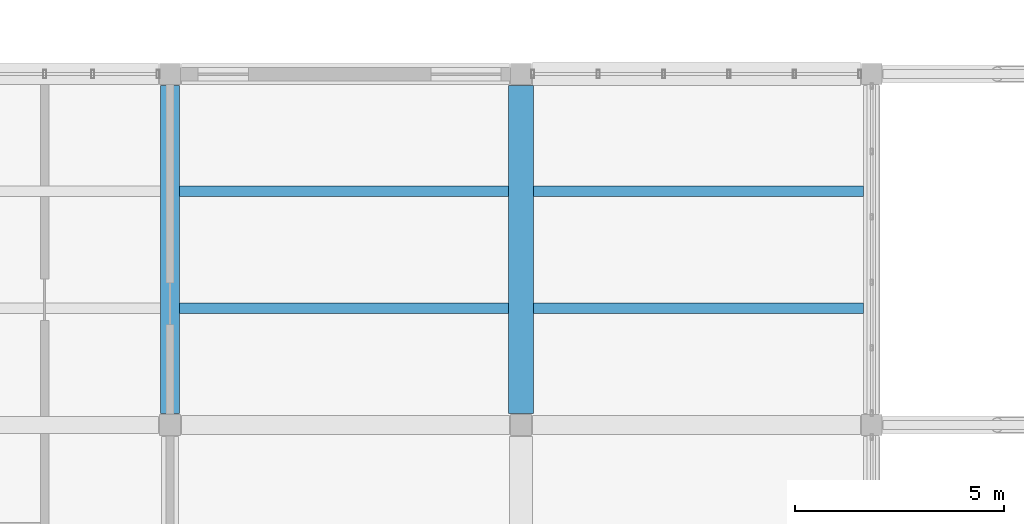
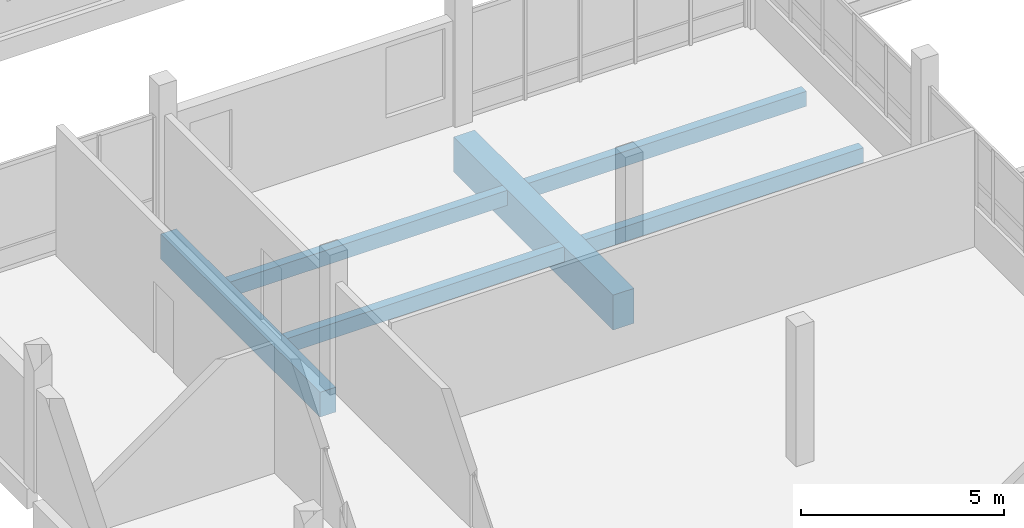
# One storey, part 34 of 107: 6 beams.
"""IFC4 building model written with IfcOpenShell, lengths in metres."""

from ifc_helpers import new_model, si_unit, direction, frame, origin, origin_2d, place, context, subcontext, project, spatial, rectangle, extrude, material, material_profile, profile_set, type_object, element, save


model = new_model("IFC4")

# Units and contexts
model_context = context("Model", 3, precision=1e-05, world=origin(), true_north=direction((0.0, 1.0)))
body_context = subcontext(model_context, "Body", "Model", "MODEL_VIEW")
ifc_project = project(units=[si_unit("LENGTHUNIT", "METRE"), si_unit("AREAUNIT", "SQUARE_METRE"), si_unit("VOLUMEUNIT", "CUBIC_METRE"), si_unit("PLANEANGLEUNIT", "RADIAN"), si_unit("MASSUNIT", "GRAM", prefix="KILO")], contexts=[model_context])

# Site, building, storey
site_placement = place(None, origin())
site = spatial("IfcSite", under=ifc_project, at=site_placement, CompositionType="ELEMENT")
building_placement = place(site_placement, origin())
building = spatial("IfcBuilding", under=site, at=building_placement, Name="Vireocrest Preparatory School", CompositionType="ELEMENT")
storey_placement = place(building_placement, frame((0.0, 0.0, 13.199951171875)))
storey = spatial("IfcBuildingStorey", under=building, at=storey_placement, Name="L03", CompositionType="ELEMENT", Elevation=13.199951171875)

# Beams
ifc_material = material(Name="Concrete 40 MPa", Category="concrete")
ifc_material_profile_1 = material_profile(ifc_material, rectangle(XDim=0.449951171875, YDim=0.75, at=origin_2d()), Name="RC 450x750")
ifc_profile_set_1 = profile_set([ifc_material_profile_1], Name="Concrete 40 MPa")
beam_type_1 = type_object("IfcBeamType", Name="RC Library Stack Girder 450x750", PredefinedType="BEAM", material=ifc_profile_set_1)
beam_1_placement = place(storey_placement, frame((50.39990234375, 77.675048828125, -0.614990234375), z_axis=(0.0, 1.0, 0.0), x_axis=(-1.0, 0.0, 0.0)))
element("IfcBeam", 1, at=beam_1_placement, inside=storey, type_object=beam_type_1, Name="Primary Girder B11 L03-1120", PredefinedType="BEAM", context=body_context, shape_type="SweptSolid", body=[
    extrude(rectangle(XDim=0.449951171875, YDim=0.75, at=origin_2d()), origin(), (0.0, 0.0, 1.0), 7.849853515625),
])
ifc_material_profile_2 = material_profile(ifc_material, rectangle(XDim=0.25, YDim=0.449951171875, at=origin_2d()), Name="RC 250x450")
ifc_profile_set_2 = profile_set([ifc_material_profile_2], Name="Concrete 40 MPa")
beam_type_2 = type_object("IfcBeamType", Name="RC Secondary Floor Joist 250x450", PredefinedType="JOIST", material=ifc_profile_set_2)
for number, where, z_axis, x_axis, name in (
    (2, (50.625, 80.199951171875, -0.46484375), (1.0, 0.0, 0.0), (0.0, 1.0, 0.0), "Secondary Joist J01 L03-1207"),
    (3, (50.625, 83.0, -0.46484375), (1.0, 0.0, 0.0), (0.0, 1.0, 0.0), "Secondary Joist J01 L03-1208"),
):
    element("IfcBeam", number, at=place(storey_placement, frame(where, z_axis=z_axis, x_axis=x_axis)), inside=storey, type_object=beam_type_2, Name=name, PredefinedType="JOIST", context=body_context, shape_type="SweptSolid", body=[
        extrude(rectangle(XDim=0.25, YDim=0.449951171875, at=origin_2d()), origin(), (0.0, 0.0, 1.0), 7.875),
    ])
for number, where, z_axis, x_axis, name in (
    (4, (59.10009765625, 80.199951171875, -0.46484375), (1.0, 0.0, 0.0), (0.0, 1.0, 0.0), "Secondary Joist J01 L03-1221"),
    (5, (59.10009765625, 83.0, -0.46484375), (1.0, 0.0, 0.0), (0.0, 1.0, 0.0), "Secondary Joist J01 L03-1222"),
):
    element("IfcBeam", number, at=place(storey_placement, frame(where, z_axis=z_axis, x_axis=x_axis)), inside=storey, type_object=beam_type_2, Name=name, PredefinedType="JOIST", context=body_context, shape_type="SweptSolid", body=[
        extrude(rectangle(XDim=0.25, YDim=0.449951171875, at=origin_2d()), origin(), (0.0, 0.0, 1.0), 7.89990234375),
    ])
ifc_material_profile_3 = material_profile(ifc_material, rectangle(XDim=0.60009765625, YDim=1.050048828125, at=origin_2d()), Name="RC 600x1050")
ifc_profile_set_3 = profile_set([ifc_material_profile_3], Name="Concrete 40 MPa")
beam_type_3 = type_object("IfcBeamType", Name="RC Transfer Girder 600x1050", PredefinedType="BEAM", material=ifc_profile_set_3)
beam_2_placement = place(storey_placement, frame((58.800048828125, 77.675048828125, -0.764892578125), z_axis=(0.0, 1.0, 0.0), x_axis=(-1.0, 0.0, 0.0)))
element("IfcBeam", 6, at=beam_2_placement, inside=storey, type_object=beam_type_3, Name="Primary Girder B19 L03-1128", PredefinedType="BEAM", context=body_context, shape_type="SweptSolid", body=[
    extrude(rectangle(XDim=0.60009765625, YDim=1.050048828125, at=origin_2d()), origin(), (0.0, 0.0, 1.0), 7.849853515625),
])

save(model, "model.ifc")
